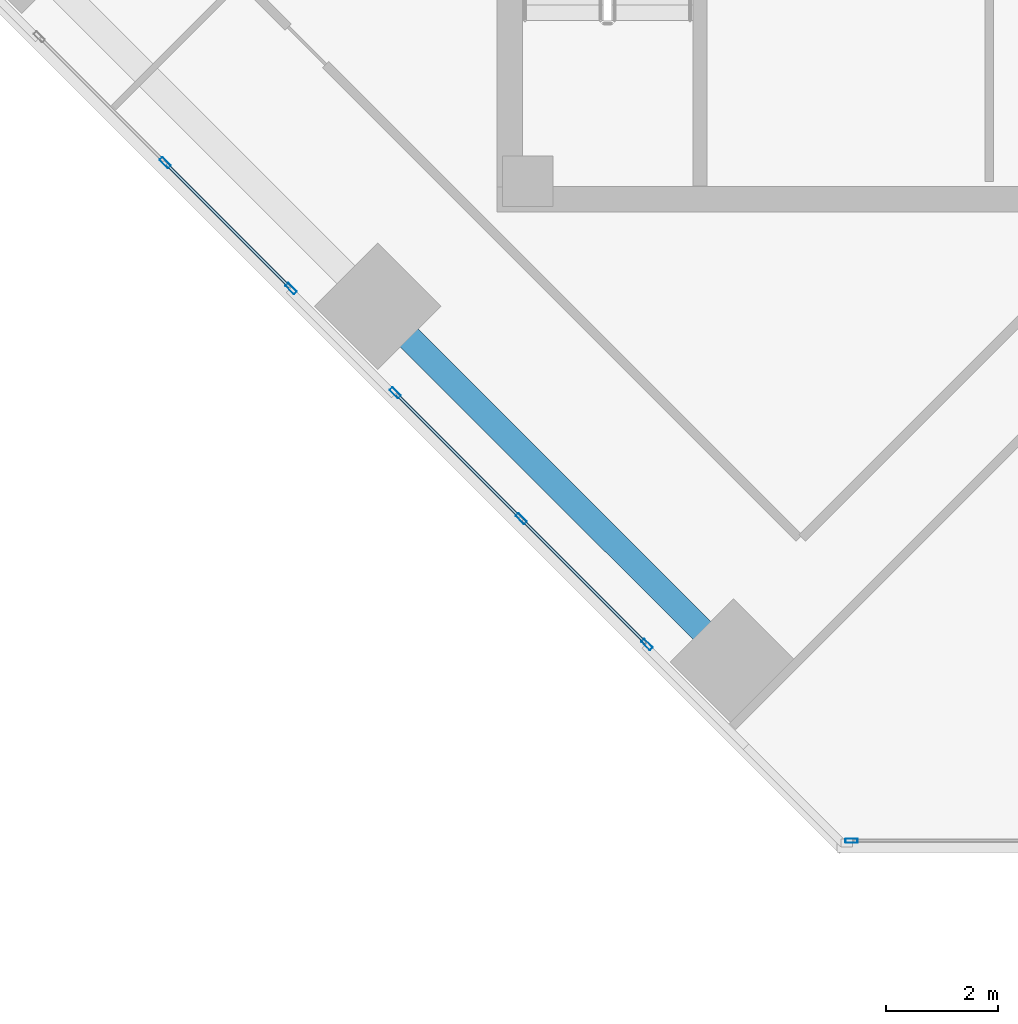
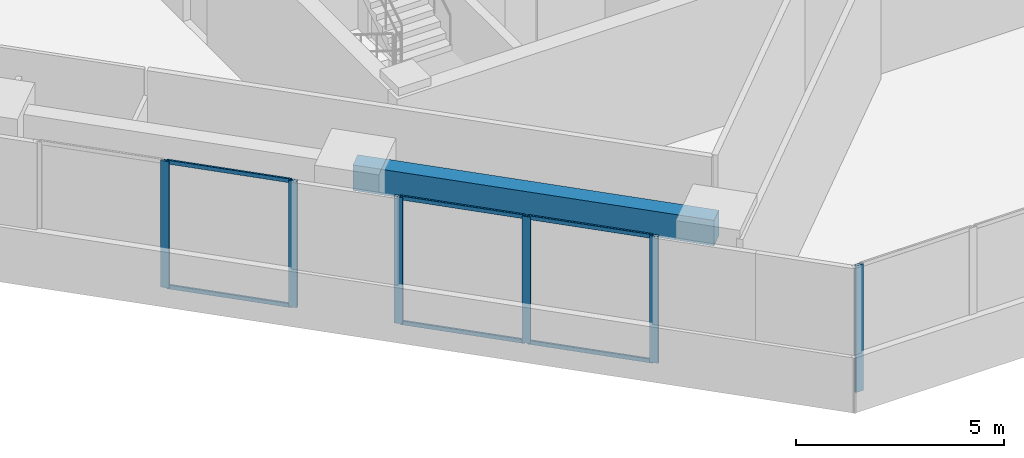
# One storey, part 2 of 17: 12 members, 1 beam, 3 elements without a shape of their own.
"""IFC4 building model written with IfcOpenShell, lengths in metres."""

import ifcopenshell
import ifcopenshell.guid

model = None  # the IFC model being written
_history = None  # IfcOwnerHistory: only IFC2X3 demands one
_inside = {}  # id of a spatial element -> (the spatial element, [elements in it])
_under = {}  # id of a project, library or spatial element -> (it, [spatial elements below it])
_declared = {}  # id of a project -> (the project, [libraries it declares])
_typed = {}  # id of a type object -> (the type object, [elements of that type])
_made_of = {}  # id of a material, layer set ... -> (it, [elements and type objects made of it])


def new_model(schema):
    """Start an empty IFC model of exactly this schema.

    Asked for "IFC4X3", IfcOpenShell would pick the latest addendum, in which some entities
    have other attributes; the version numbers below select the first issue.
    IFC2X3 requires an IfcOwnerHistory on every rooted entity: one is made here for all.
    """
    global model, _history
    if schema == "IFC4X3":
        model = ifcopenshell.file(schema_version=(4, 3, 0, 0))
    else:
        model = ifcopenshell.file(schema=schema)
    _inside.clear()
    _under.clear()
    _declared.clear()
    _typed.clear()
    _made_of.clear()
    _history = None
    if model.schema == "IFC2X3":
        org = make("IfcOrganization", Name="unknown")
        user = make(
            "IfcPersonAndOrganization",
            ThePerson=make("IfcPerson", FamilyName="unknown"),
            TheOrganization=org,
        )
        app = make(
            "IfcApplication",
            ApplicationDeveloper=org,
            Version="unknown",
            ApplicationFullName="unknown",
            ApplicationIdentifier="unknown",
        )
        _history = make(
            "IfcOwnerHistory",
            OwningUser=user,
            OwningApplication=app,
            ChangeAction="ADDED",
            CreationDate=0,
        )
    return model


def make(cls, **values):
    """One entity of the class cls with the attributes given. An attribute that is None is left unset."""
    return model.create_entity(
        cls, **{name: value for name, value in values.items() if value is not None}
    )


def rooted(cls, **values):
    """An entity with a GlobalId (a new one), such as an element, a storey or a relation."""
    return make(cls, GlobalId=ifcopenshell.guid.new(), OwnerHistory=_history, **values)


def si_unit(unit_type, name, prefix=None):
    """IfcSIUnit, for example si_unit("LENGTHUNIT", "METRE", prefix="MILLI")."""
    return make("IfcSIUnit", UnitType=unit_type, Prefix=prefix, Name=name)


def assignment(units):
    """IfcUnitAssignment: the units of a project."""
    return None if units is None else make("IfcUnitAssignment", Units=units)


def point(xyz):
    """IfcCartesianPoint."""
    return None if xyz is None else make("IfcCartesianPoint", Coordinates=xyz)


def direction(xyz):
    """IfcDirection."""
    return None if xyz is None else make("IfcDirection", DirectionRatios=xyz)


def frame(location, z_axis=None, x_axis=None):
    """IfcAxis2Placement3D, a coordinate frame: its origin and axes. An axis left out is left unset."""
    return make(
        "IfcAxis2Placement3D",
        Location=point(location),
        Axis=direction(z_axis),
        RefDirection=direction(x_axis),
    )


def frame_2d(location, x_axis=None):
    """IfcAxis2Placement2D, a coordinate frame in the plane: its origin and x axis."""
    return make(
        "IfcAxis2Placement2D", Location=point(location), RefDirection=direction(x_axis)
    )


def origin():
    """The frame at (0, 0, 0) with its axes left unset."""
    return frame((0.0, 0.0, 0.0))


def origin_2d():
    """The frame at (0, 0) in the plane with its x axis left unset."""
    return frame_2d((0.0, 0.0))


def place(relative_to, where):
    """IfcLocalPlacement: puts the frame where relative to a parent placement (None: the world)."""
    return make(
        "IfcLocalPlacement", PlacementRelTo=relative_to, RelativePlacement=where
    )


def context(
    kind, dimensions, precision=None, world=None, true_north=None, identifier=None
):
    """IfcGeometricRepresentationContext, for example the 3D "Model" context."""
    return make(
        "IfcGeometricRepresentationContext",
        ContextIdentifier=identifier,
        ContextType=kind,
        CoordinateSpaceDimension=dimensions,
        Precision=precision,
        WorldCoordinateSystem=world,
        TrueNorth=true_north,
    )


def subcontext(parent, identifier, kind, view, scale=None):
    """IfcGeometricRepresentationSubContext, for example "Body" below "Model"."""
    return make(
        "IfcGeometricRepresentationSubContext",
        ContextIdentifier=identifier,
        ContextType=kind,
        ParentContext=parent,
        TargetScale=scale,
        TargetView=view,
    )


def project(units=None, contexts=None):
    """IfcProject with its units and contexts."""
    return rooted(
        "IfcProject",
        Name="project",
        RepresentationContexts=contexts,
        UnitsInContext=assignment(units),
    )


def spatial(cls, under=None, at=None, **own):
    """A site, building, storey or space (cls), placed at a placement, below another one or the project."""
    s = rooted(cls, ObjectPlacement=at, **own)
    if under is not None:
        _under.setdefault(under.id(), (under, []))[1].append(s)
    return s


def profile(cls, at=None, kind="AREA", **sizes):
    """A parametric profile (cls). Its sizes go by their IFC names, for example OverallWidth=200.0."""
    return make(cls, ProfileType=kind, Position=at, **sizes)


def rectangle(**sizes):
    """IfcRectangleProfileDef."""
    return profile("IfcRectangleProfileDef", **sizes)


def hollow_rectangle(**sizes):
    """IfcRectangleHollowProfileDef."""
    return profile("IfcRectangleHollowProfileDef", **sizes)


def extrude(swept, where, along, depth):
    """IfcExtrudedAreaSolid: the profile swept, set in the frame where, extruded along a direction by depth."""
    return make(
        "IfcExtrudedAreaSolid",
        SweptArea=swept,
        Position=where,
        ExtrudedDirection=direction(along),
        Depth=depth,
    )


def shape(context_of_items, identifier, shape_type, items):
    """IfcShapeRepresentation: the items that make up one representation, for example the "Body"."""
    return make(
        "IfcShapeRepresentation",
        ContextOfItems=context_of_items,
        RepresentationIdentifier=identifier,
        RepresentationType=shape_type,
        Items=items,
    )


def source(mapping_origin, context_of_items, identifier, shape_type, items):
    """IfcRepresentationMap: a shape defined once, which mapped items show again and again."""
    return make(
        "IfcRepresentationMap",
        MappingOrigin=mapping_origin,
        MappedRepresentation=shape(context_of_items, identifier, shape_type, items),
    )


def transform(
    local_origin,
    x_axis=None,
    y_axis=None,
    z_axis=None,
    scale=None,
    scale2=None,
    scale3=None,
    uniform=True,
):
    """IfcCartesianTransformationOperator3D, or its non-uniform kind. x_axis, y_axis, z_axis: its Axis1, 2, 3."""
    if uniform:
        return make(
            "IfcCartesianTransformationOperator3D",
            Axis1=direction(x_axis),
            Axis2=direction(y_axis),
            LocalOrigin=point(local_origin),
            Scale=scale,
            Axis3=direction(z_axis),
        )
    return make(
        "IfcCartesianTransformationOperator3DnonUniform",
        Axis1=direction(x_axis),
        Axis2=direction(y_axis),
        LocalOrigin=point(local_origin),
        Scale=scale,
        Axis3=direction(z_axis),
        Scale2=scale2,
        Scale3=scale3,
    )


def mapped(mapping_source, mapping_target):
    """IfcMappedItem: shows the shape of a source again, moved by a transform."""
    return make(
        "IfcMappedItem", MappingSource=mapping_source, MappingTarget=mapping_target
    )


def material(Name=None, Category=None):
    """IfcMaterial."""
    return make("IfcMaterial", Name=Name, Category=Category)


def material_profile(
    of_material, cross_section, Name=None, Category=None, Priority=None
):
    """IfcMaterialProfile: a cross section and its material."""
    return make(
        "IfcMaterialProfile",
        Name=Name,
        Material=of_material,
        Profile=cross_section,
        Priority=Priority,
        Category=Category,
    )


def profile_set(profiles, Name=None, composite=None):
    """IfcMaterialProfileSet."""
    return make(
        "IfcMaterialProfileSet",
        Name=Name,
        MaterialProfiles=profiles,
        CompositeProfile=composite,
    )


def made_of(thing, what):
    """Note that an element or type object is made of a material, layer set ...; save() writes the relation."""
    if what is not None:
        _made_of.setdefault(what.id(), (what, []))[1].append(thing)
    return thing


def type_object(cls, material=None, **own):
    """A type object (cls), such as IfcWallType, which elements share."""
    return made_of(rooted(cls, **own), material)


def element(
    cls,
    number,
    at=None,
    inside=None,
    cuts=None,
    type_object=None,
    material=None,
    context=None,
    identifier="Body",
    shape_type=None,
    held_by="IfcProductDefinitionShape",
    body=None,
    shapes=None,
    **own,
):
    """One element of the class cls, such as IfcWall. Its Tag is "e" and its number.

    at: its placement. inside: the storey or other place that contains it. cuts: it is an
    opening in that element (IfcRelVoidsElement). A single representation is given by context,
    identifier, shape_type and body (its items); several are given by shapes. held_by: the class
    of the entity that holds the representations. save() writes the other relations.
    """
    e = rooted(cls, Tag="e%d" % number, ObjectPlacement=at, **own)
    if body is not None:
        shapes = [shape(context, identifier, shape_type, body)]
    if shapes is not None:
        e.Representation = make(held_by, Representations=shapes)
    if inside is not None:
        _inside.setdefault(inside.id(), (inside, []))[1].append(e)
    if cuts is not None:
        rooted(
            "IfcRelVoidsElement", RelatingBuildingElement=cuts, RelatedOpeningElement=e
        )
    if type_object is not None:
        _typed.setdefault(type_object.id(), (type_object, []))[1].append(e)
    return made_of(e, material)


def aggregate(whole, parts):
    """IfcRelAggregates: a whole, such as a stair, and the parts it consists of."""
    return rooted("IfcRelAggregates", RelatingObject=whole, RelatedObjects=parts)


def save(model, path):
    """Write the relations noted so far, then the file.

    IfcRelAggregates (storeys below a building ...), IfcRelContainedInSpatialStructure (elements
    in a storey), IfcRelDefinesByType, IfcRelAssociatesMaterial and IfcRelDeclares: one each for
    every whole, place, type object, material and project.
    """
    for whole, parts in _under.values():
        aggregate(whole, parts)
    for where, things in _inside.values():
        rooted(
            "IfcRelContainedInSpatialStructure",
            RelatedElements=things,
            RelatingStructure=where,
        )
    for kind, things in _typed.values():
        rooted("IfcRelDefinesByType", RelatedObjects=things, RelatingType=kind)
    for what, things in _made_of.values():
        rooted("IfcRelAssociatesMaterial", RelatedObjects=things, RelatingMaterial=what)
    for by, libraries in _declared.values():
        rooted("IfcRelDeclares", RelatingContext=by, RelatedDefinitions=libraries)
    model.write(path)


model = new_model("IFC4")

# Units and contexts
model_context = context("Model", 3, precision=1e-05, world=origin(), true_north=direction((0.0, 1.0)))
body_context = subcontext(model_context, "Body", "Model", "MODEL_VIEW")
ifc_project = project(units=[si_unit("LENGTHUNIT", "METRE"), si_unit("AREAUNIT", "SQUARE_METRE"), si_unit("VOLUMEUNIT", "CUBIC_METRE"), si_unit("PLANEANGLEUNIT", "RADIAN"), si_unit("MASSUNIT", "GRAM", prefix="KILO")], contexts=[model_context])

# Site, building, storey
site_placement = place(None, origin())
site = spatial("IfcSite", under=ifc_project, at=site_placement, CompositionType="ELEMENT")
building_placement = place(site_placement, origin())
building = spatial("IfcBuilding", under=site, at=building_placement, Name="Torre Montelarca", CompositionType="ELEMENT")
storey_placement = place(building_placement, frame((0.0, 0.0, 250.0)))
storey = spatial("IfcBuildingStorey", under=building, at=storey_placement, Name="L56", CompositionType="ELEMENT", Elevation=250.0)

# Beam
ifc_material_1 = material(Name="Concrete C55/67", Category="concrete")
ifc_material_profile_1 = material_profile(ifc_material_1, rectangle(XDim=0.449951171875, YDim=0.75, at=origin_2d()), Name="RCB450X750", Category="concrete")
ifc_profile_set_1 = profile_set([ifc_material_profile_1], Name="Concrete C55/67")
beam_type = type_object("IfcBeamType", Name="BM-SP-RC750-EXT", PredefinedType="SPANDREL", material=ifc_profile_set_1)
shared_shape_1 = source(origin(), body_context, "Body", "SweptSolid", [
    extrude(rectangle(XDim=0.449951171875, YDim=0.75, at=origin_2d()), origin(), (0.0, 0.0, 1.0), 9.0),
])
beam_placement = place(storey_placement, frame((6.86279296875, 22.3125, 3.5849609375), z_axis=(0.707120344572, -0.70709321754, 0.0), x_axis=(0.70709321754, 0.707120344572, 0.0)))
element("IfcBeam", 1, at=beam_placement, inside=storey, type_object=beam_type, Name="L56 Grid Girder X 18.0-27.0 at Y=14.8", PredefinedType="SPANDREL", context=body_context, shape_type="MappedRepresentation", body=[
    mapped(shared_shape_1, transform((0.0, 0.0, 0.0), scale=1.0)),
])

# Curtain wall, members
ifc_material_2 = material(Name="Insulated low-E laminated glass", Category="glass")
curtain_wall_type = type_object("IfcCurtainWallType", Name="CW-SYS-Z3", PredefinedType="USERDEFINED", material=ifc_material_2)
curtain_wall_1_placement = place(storey_placement, origin())
curtain_wall_1 = element("IfcCurtainWall", 2, at=curtain_wall_1_placement, inside=storey, type_object=curtain_wall_type, Name="L56 Curtain Wall Run CW-T3-L56-E01-B1", ObjectType="UNITISED GLAZING", PredefinedType="USERDEFINED")
ifc_material_3 = material(Name="Anodised aluminium AA 6063-T6", Category="aluminium")
ifc_material_profile_2 = material_profile(ifc_material_3, hollow_rectangle(XDim=0.074951171875, YDim=0.219970703125, WallThickness=0.0048828125, InnerFilletRadius=0.0048828125, OuterFilletRadius=0.010009765625, at=origin_2d()), Name="ALU75X220X5", Category="aluminium")
ifc_profile_set_2 = profile_set([ifc_material_profile_2], Name="Anodised aluminium AA 6063-T6")
member_type_1 = type_object("IfcMemberType", Name="CWM-ALU220", PredefinedType="MULLION", material=ifc_profile_set_2)
shared_shape_2 = source(origin(), body_context, "Body", "SweptSolid", [
    extrude(hollow_rectangle(XDim=0.074951171875, YDim=0.219970703125, WallThickness=0.0048828125, InnerFilletRadius=0.0048828125, OuterFilletRadius=0.010009765625, at=origin_2d()), origin(), (0.0, 0.0, 1.0), 3.719970703125),
])
member_1_placement = place(storey_placement, frame((3.065673828125, 24.87939453125, 0.0), z_axis=(0.0, 0.0, 1.0), x_axis=(0.707106781187, 0.707106781187, 0.0)))
member_1 = element("IfcMember", 3, at=member_1_placement, type_object=member_type_1, Name="CW mullion 2", PredefinedType="MULLION", context=body_context, shape_type="MappedRepresentation", body=[
    mapped(shared_shape_2, transform((0.0, 0.0, 0.0), scale=1.0)),
])
member_2_placement = place(storey_placement, frame((5.316162109375, 22.62890625, 0.0), z_axis=(0.0, 0.0, 1.0), x_axis=(0.707106781187, 0.707106781187, 0.0)))
member_2 = element("IfcMember", 4, at=member_2_placement, type_object=member_type_1, Name="CW mullion 3", PredefinedType="MULLION", context=body_context, shape_type="MappedRepresentation", body=[
    mapped(shared_shape_2, transform((0.0, 0.0, 0.0), scale=1.0)),
])

curtain_wall_2_placement = place(storey_placement, origin())
curtain_wall_2 = element("IfcCurtainWall", 5, at=curtain_wall_2_placement, inside=storey, type_object=curtain_wall_type, Name="L56 Curtain Wall Run CW-T3-L56-E01-B2", ObjectType="UNITISED GLAZING", PredefinedType="USERDEFINED")
member_3_placement = place(storey_placement, frame((7.17919921875, 20.765869140625, 0.0), z_axis=(0.0, 0.0, 1.0), x_axis=(0.707106781187, 0.707106781187, 0.0)))
member_3 = element("IfcMember", 6, at=member_3_placement, type_object=member_type_1, Name="CW mullion 1", PredefinedType="MULLION", context=body_context, shape_type="MappedRepresentation", body=[
    mapped(shared_shape_2, transform((0.0, 0.0, 0.0), scale=1.0)),
])
member_4_placement = place(storey_placement, frame((9.4296875, 18.515380859375, 0.0), z_axis=(0.0, 0.0, 1.0), x_axis=(0.707106781187, 0.707106781187, 0.0)))
member_4 = element("IfcMember", 7, at=member_4_placement, type_object=member_type_1, Name="CW mullion 2", PredefinedType="MULLION", context=body_context, shape_type="MappedRepresentation", body=[
    mapped(shared_shape_2, transform((0.0, 0.0, 0.0), scale=1.0)),
])
member_5_placement = place(storey_placement, frame((11.68017578125, 16.26513671875, 0.0), z_axis=(0.0, 0.0, 1.0), x_axis=(0.707106781187, 0.707106781187, 0.0)))
member_5 = element("IfcMember", 8, at=member_5_placement, type_object=member_type_1, Name="CW mullion 3", PredefinedType="MULLION", context=body_context, shape_type="MappedRepresentation", body=[
    mapped(shared_shape_2, transform((0.0, 0.0, 0.0), scale=1.0)),
])

# Curtain wall, member
curtain_wall_3_placement = place(storey_placement, origin())
curtain_wall_3 = element("IfcCurtainWall", 9, at=curtain_wall_3_placement, inside=storey, type_object=curtain_wall_type, Name="L56 Curtain Wall Run CW-T3-L56-E02-B1", ObjectType="UNITISED GLAZING", PredefinedType="USERDEFINED")
member_6_placement = place(storey_placement, frame((15.33935546875, 12.75537109375, 0.0), z_axis=(0.0, 0.0, 1.0), x_axis=(0.0, 1.0, 0.0)))
member_6 = element("IfcMember", 10, at=member_6_placement, type_object=member_type_1, Name="CW mullion 1", PredefinedType="MULLION", context=body_context, shape_type="MappedRepresentation", body=[
    mapped(shared_shape_2, transform((0.0, 0.0, 0.0), scale=1.0)),
])
aggregate(curtain_wall_3, [member_6])

# Member
ifc_material_profile_3 = material_profile(ifc_material_3, hollow_rectangle(XDim=0.054931640625, YDim=0.1201171875, WallThickness=0.00341796875, InnerFilletRadius=0.00341796875, OuterFilletRadius=0.007080078125, at=origin_2d()), Name="ALU55X120X3.5", Category="aluminium")
ifc_profile_set_3 = profile_set([ifc_material_profile_3], Name="Anodised aluminium AA 6063-T6")
member_type_2 = type_object("IfcMemberType", Name="CWT-ALU120", PredefinedType="USERDEFINED", material=ifc_profile_set_3)
shared_shape_3 = source(origin(), body_context, "Body", "SweptSolid", [
    extrude(hollow_rectangle(XDim=0.054931640625, YDim=0.1201171875, WallThickness=0.00341796875, InnerFilletRadius=0.00341796875, OuterFilletRadius=0.007080078125, at=origin_2d()), origin(), (0.0, 0.0, 1.0), 3.107421875),
])
member_7_placement = place(storey_placement, frame((3.09228515625, 24.852783203125, 0.027587890625), z_axis=(0.707106781187, -0.707106781187, 0.0), x_axis=(0.707106781187, 0.707106781187, 0.0)))
member_7 = element("IfcMember", 11, at=member_7_placement, type_object=member_type_2, Name="CW transom 2.1", ObjectType="TRANSOM", PredefinedType="USERDEFINED", context=body_context, shape_type="MappedRepresentation", body=[
    mapped(shared_shape_3, transform((0.0, 0.0, 0.0), scale=1.0)),
])

member_8_placement = place(storey_placement, frame((3.09228515625, 24.852783203125, 3.6923828125), z_axis=(0.707106781187, -0.707106781187, 0.0), x_axis=(0.707106781187, 0.707106781187, 0.0)))
member_8 = element("IfcMember", 12, at=member_8_placement, type_object=member_type_2, Name="CW transom 2.2", ObjectType="TRANSOM", PredefinedType="USERDEFINED", context=body_context, shape_type="MappedRepresentation", body=[
    mapped(shared_shape_3, transform((0.0, 0.0, 0.0), scale=1.0)),
])

aggregate(curtain_wall_1, [member_1, member_2, member_7, member_8])

member_9_placement = place(storey_placement, frame((7.205810546875, 20.7392578125, 0.027587890625), z_axis=(0.707106781187, -0.707106781187, 0.0), x_axis=(0.707106781187, 0.707106781187, 0.0)))
member_9 = element("IfcMember", 13, at=member_9_placement, type_object=member_type_2, Name="CW transom 1.1", ObjectType="TRANSOM", PredefinedType="USERDEFINED", context=body_context, shape_type="MappedRepresentation", body=[
    mapped(shared_shape_3, transform((0.0, 0.0, 0.0), scale=1.0)),
])

member_10_placement = place(storey_placement, frame((7.205810546875, 20.7392578125, 3.6923828125), z_axis=(0.707106781187, -0.707106781187, 0.0), x_axis=(0.707106781187, 0.707106781187, 0.0)))
member_10 = element("IfcMember", 14, at=member_10_placement, type_object=member_type_2, Name="CW transom 1.2", ObjectType="TRANSOM", PredefinedType="USERDEFINED", context=body_context, shape_type="MappedRepresentation", body=[
    mapped(shared_shape_3, transform((0.0, 0.0, 0.0), scale=1.0)),
])

member_11_placement = place(storey_placement, frame((9.456298828125, 18.48876953125, 0.027587890625), z_axis=(0.707106781187, -0.707106781187, 0.0), x_axis=(0.707106781187, 0.707106781187, 0.0)))
member_11 = element("IfcMember", 15, at=member_11_placement, type_object=member_type_2, Name="CW transom 2.1", ObjectType="TRANSOM", PredefinedType="USERDEFINED", context=body_context, shape_type="MappedRepresentation", body=[
    mapped(shared_shape_3, transform((0.0, 0.0, 0.0), scale=1.0)),
])

member_12_placement = place(storey_placement, frame((9.456298828125, 18.48876953125, 3.6923828125), z_axis=(0.707106781187, -0.707106781187, 0.0), x_axis=(0.707106781187, 0.707106781187, 0.0)))
member_12 = element("IfcMember", 16, at=member_12_placement, type_object=member_type_2, Name="CW transom 2.2", ObjectType="TRANSOM", PredefinedType="USERDEFINED", context=body_context, shape_type="MappedRepresentation", body=[
    mapped(shared_shape_3, transform((0.0, 0.0, 0.0), scale=1.0)),
])

aggregate(curtain_wall_2, [member_3, member_4, member_5, member_9, member_10, member_11, member_12])

save(model, "model.ifc")
